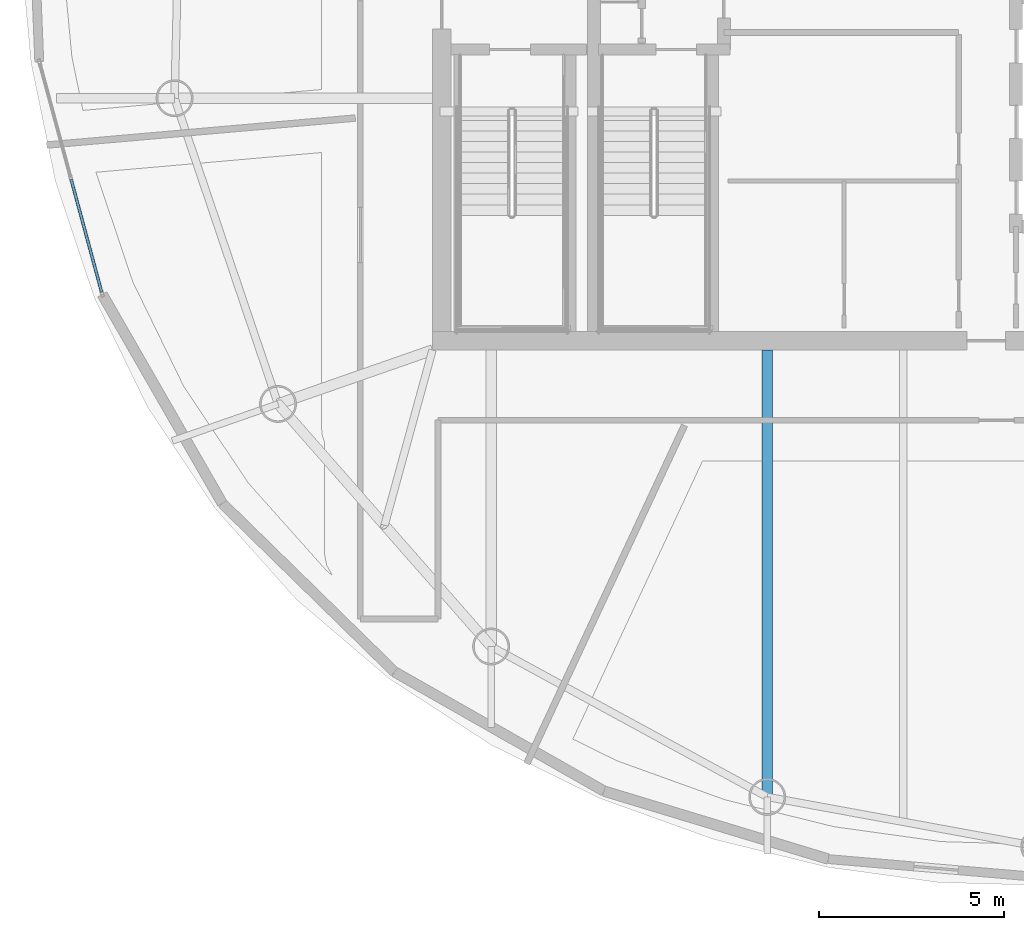
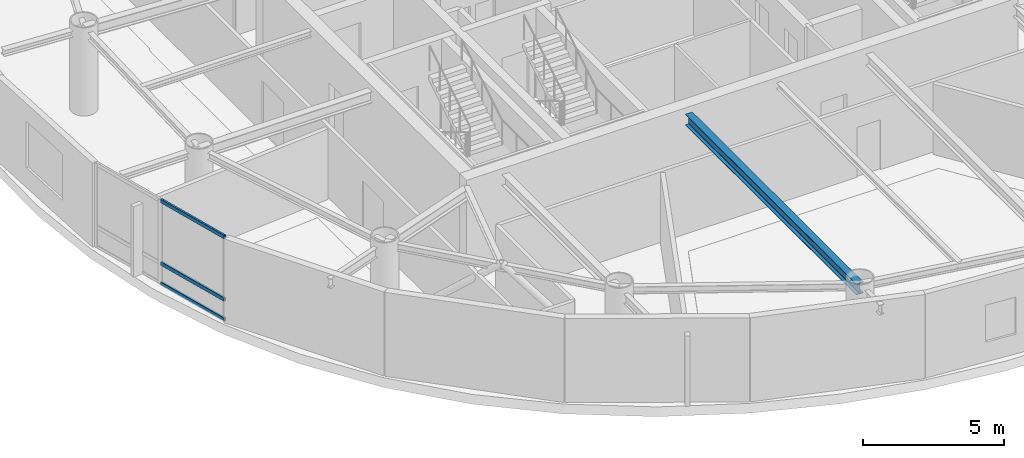
# One storey, part 5 of 20: 3 members, 1 beam, 1 element without a shape of its own.
"""IFC4 building model written with IfcOpenShell, lengths in metres."""

import ifcopenshell
import ifcopenshell.guid

model = None  # the IFC model being written
_history = None  # IfcOwnerHistory: only IFC2X3 demands one
_inside = {}  # id of a spatial element -> (the spatial element, [elements in it])
_under = {}  # id of a project, library or spatial element -> (it, [spatial elements below it])
_declared = {}  # id of a project -> (the project, [libraries it declares])
_typed = {}  # id of a type object -> (the type object, [elements of that type])
_made_of = {}  # id of a material, layer set ... -> (it, [elements and type objects made of it])


def new_model(schema):
    """Start an empty IFC model of exactly this schema.

    Asked for "IFC4X3", IfcOpenShell would pick the latest addendum, in which some entities
    have other attributes; the version numbers below select the first issue.
    IFC2X3 requires an IfcOwnerHistory on every rooted entity: one is made here for all.
    """
    global model, _history
    if schema == "IFC4X3":
        model = ifcopenshell.file(schema_version=(4, 3, 0, 0))
    else:
        model = ifcopenshell.file(schema=schema)
    _inside.clear()
    _under.clear()
    _declared.clear()
    _typed.clear()
    _made_of.clear()
    _history = None
    if model.schema == "IFC2X3":
        org = make("IfcOrganization", Name="unknown")
        user = make(
            "IfcPersonAndOrganization",
            ThePerson=make("IfcPerson", FamilyName="unknown"),
            TheOrganization=org,
        )
        app = make(
            "IfcApplication",
            ApplicationDeveloper=org,
            Version="unknown",
            ApplicationFullName="unknown",
            ApplicationIdentifier="unknown",
        )
        _history = make(
            "IfcOwnerHistory",
            OwningUser=user,
            OwningApplication=app,
            ChangeAction="ADDED",
            CreationDate=0,
        )
    return model


def make(cls, **values):
    """One entity of the class cls with the attributes given. An attribute that is None is left unset."""
    return model.create_entity(
        cls, **{name: value for name, value in values.items() if value is not None}
    )


def rooted(cls, **values):
    """An entity with a GlobalId (a new one), such as an element, a storey or a relation."""
    return make(cls, GlobalId=ifcopenshell.guid.new(), OwnerHistory=_history, **values)


def si_unit(unit_type, name, prefix=None):
    """IfcSIUnit, for example si_unit("LENGTHUNIT", "METRE", prefix="MILLI")."""
    return make("IfcSIUnit", UnitType=unit_type, Prefix=prefix, Name=name)


def assignment(units):
    """IfcUnitAssignment: the units of a project."""
    return None if units is None else make("IfcUnitAssignment", Units=units)


def point(xyz):
    """IfcCartesianPoint."""
    return None if xyz is None else make("IfcCartesianPoint", Coordinates=xyz)


def direction(xyz):
    """IfcDirection."""
    return None if xyz is None else make("IfcDirection", DirectionRatios=xyz)


def frame(location, z_axis=None, x_axis=None):
    """IfcAxis2Placement3D, a coordinate frame: its origin and axes. An axis left out is left unset."""
    return make(
        "IfcAxis2Placement3D",
        Location=point(location),
        Axis=direction(z_axis),
        RefDirection=direction(x_axis),
    )


def frame_2d(location, x_axis=None):
    """IfcAxis2Placement2D, a coordinate frame in the plane: its origin and x axis."""
    return make(
        "IfcAxis2Placement2D", Location=point(location), RefDirection=direction(x_axis)
    )


def origin():
    """The frame at (0, 0, 0) with its axes left unset."""
    return frame((0.0, 0.0, 0.0))


def origin_2d():
    """The frame at (0, 0) in the plane with its x axis left unset."""
    return frame_2d((0.0, 0.0))


def place(relative_to, where):
    """IfcLocalPlacement: puts the frame where relative to a parent placement (None: the world)."""
    return make(
        "IfcLocalPlacement", PlacementRelTo=relative_to, RelativePlacement=where
    )


def context(
    kind, dimensions, precision=None, world=None, true_north=None, identifier=None
):
    """IfcGeometricRepresentationContext, for example the 3D "Model" context."""
    return make(
        "IfcGeometricRepresentationContext",
        ContextIdentifier=identifier,
        ContextType=kind,
        CoordinateSpaceDimension=dimensions,
        Precision=precision,
        WorldCoordinateSystem=world,
        TrueNorth=true_north,
    )


def subcontext(parent, identifier, kind, view, scale=None):
    """IfcGeometricRepresentationSubContext, for example "Body" below "Model"."""
    return make(
        "IfcGeometricRepresentationSubContext",
        ContextIdentifier=identifier,
        ContextType=kind,
        ParentContext=parent,
        TargetScale=scale,
        TargetView=view,
    )


def project(units=None, contexts=None):
    """IfcProject with its units and contexts."""
    return rooted(
        "IfcProject",
        Name="project",
        RepresentationContexts=contexts,
        UnitsInContext=assignment(units),
    )


def spatial(cls, under=None, at=None, **own):
    """A site, building, storey or space (cls), placed at a placement, below another one or the project."""
    s = rooted(cls, ObjectPlacement=at, **own)
    if under is not None:
        _under.setdefault(under.id(), (under, []))[1].append(s)
    return s


def profile(cls, at=None, kind="AREA", **sizes):
    """A parametric profile (cls). Its sizes go by their IFC names, for example OverallWidth=200.0."""
    return make(cls, ProfileType=kind, Position=at, **sizes)


def hollow_rectangle(**sizes):
    """IfcRectangleHollowProfileDef."""
    return profile("IfcRectangleHollowProfileDef", **sizes)


def i_section(**sizes):
    """IfcIShapeProfileDef."""
    return profile("IfcIShapeProfileDef", **sizes)


def extrude(swept, where, along, depth):
    """IfcExtrudedAreaSolid: the profile swept, set in the frame where, extruded along a direction by depth."""
    return make(
        "IfcExtrudedAreaSolid",
        SweptArea=swept,
        Position=where,
        ExtrudedDirection=direction(along),
        Depth=depth,
    )


def shape(context_of_items, identifier, shape_type, items):
    """IfcShapeRepresentation: the items that make up one representation, for example the "Body"."""
    return make(
        "IfcShapeRepresentation",
        ContextOfItems=context_of_items,
        RepresentationIdentifier=identifier,
        RepresentationType=shape_type,
        Items=items,
    )


def material(Name=None, Category=None):
    """IfcMaterial."""
    return make("IfcMaterial", Name=Name, Category=Category)


def layer(
    of_material, thickness, ventilated=None, Name=None, Category=None, Priority=None
):
    """IfcMaterialLayer: one layer of a wall or slab, of a material (None: an air gap)."""
    return make(
        "IfcMaterialLayer",
        Material=of_material,
        LayerThickness=thickness,
        IsVentilated=ventilated,
        Name=Name,
        Category=Category,
        Priority=Priority,
    )


def layer_set(layers, Name=None):
    """IfcMaterialLayerSet."""
    return make("IfcMaterialLayerSet", MaterialLayers=layers, LayerSetName=Name)


def material_profile(
    of_material, cross_section, Name=None, Category=None, Priority=None
):
    """IfcMaterialProfile: a cross section and its material."""
    return make(
        "IfcMaterialProfile",
        Name=Name,
        Material=of_material,
        Profile=cross_section,
        Priority=Priority,
        Category=Category,
    )


def profile_set(profiles, Name=None, composite=None):
    """IfcMaterialProfileSet."""
    return make(
        "IfcMaterialProfileSet",
        Name=Name,
        MaterialProfiles=profiles,
        CompositeProfile=composite,
    )


def made_of(thing, what):
    """Note that an element or type object is made of a material, layer set ...; save() writes the relation."""
    if what is not None:
        _made_of.setdefault(what.id(), (what, []))[1].append(thing)
    return thing


def type_object(cls, material=None, **own):
    """A type object (cls), such as IfcWallType, which elements share."""
    return made_of(rooted(cls, **own), material)


def element(
    cls,
    number,
    at=None,
    inside=None,
    cuts=None,
    type_object=None,
    material=None,
    context=None,
    identifier="Body",
    shape_type=None,
    held_by="IfcProductDefinitionShape",
    body=None,
    shapes=None,
    **own,
):
    """One element of the class cls, such as IfcWall. Its Tag is "e" and its number.

    at: its placement. inside: the storey or other place that contains it. cuts: it is an
    opening in that element (IfcRelVoidsElement). A single representation is given by context,
    identifier, shape_type and body (its items); several are given by shapes. held_by: the class
    of the entity that holds the representations. save() writes the other relations.
    """
    e = rooted(cls, Tag="e%d" % number, ObjectPlacement=at, **own)
    if body is not None:
        shapes = [shape(context, identifier, shape_type, body)]
    if shapes is not None:
        e.Representation = make(held_by, Representations=shapes)
    if inside is not None:
        _inside.setdefault(inside.id(), (inside, []))[1].append(e)
    if cuts is not None:
        rooted(
            "IfcRelVoidsElement", RelatingBuildingElement=cuts, RelatedOpeningElement=e
        )
    if type_object is not None:
        _typed.setdefault(type_object.id(), (type_object, []))[1].append(e)
    return made_of(e, material)


def aggregate(whole, parts):
    """IfcRelAggregates: a whole, such as a stair, and the parts it consists of."""
    return rooted("IfcRelAggregates", RelatingObject=whole, RelatedObjects=parts)


def save(model, path):
    """Write the relations noted so far, then the file.

    IfcRelAggregates (storeys below a building ...), IfcRelContainedInSpatialStructure (elements
    in a storey), IfcRelDefinesByType, IfcRelAssociatesMaterial and IfcRelDeclares: one each for
    every whole, place, type object, material and project.
    """
    for whole, parts in _under.values():
        aggregate(whole, parts)
    for where, things in _inside.values():
        rooted(
            "IfcRelContainedInSpatialStructure",
            RelatedElements=things,
            RelatingStructure=where,
        )
    for kind, things in _typed.values():
        rooted("IfcRelDefinesByType", RelatedObjects=things, RelatingType=kind)
    for what, things in _made_of.values():
        rooted("IfcRelAssociatesMaterial", RelatedObjects=things, RelatingMaterial=what)
    for by, libraries in _declared.values():
        rooted("IfcRelDeclares", RelatingContext=by, RelatedDefinitions=libraries)
    model.write(path)


model = new_model("IFC4")

# Units and contexts
model_context = context("Model", 3, precision=1e-05, world=origin(), true_north=direction((0.0, 1.0)))
body_context = subcontext(model_context, "Body", "Model", "MODEL_VIEW")
ifc_project = project(units=[si_unit("LENGTHUNIT", "METRE"), si_unit("AREAUNIT", "SQUARE_METRE"), si_unit("VOLUMEUNIT", "CUBIC_METRE"), si_unit("PLANEANGLEUNIT", "RADIAN"), si_unit("MASSUNIT", "GRAM", prefix="KILO")], contexts=[model_context])

# Site, building, storey
site_placement = place(None, origin())
site = spatial("IfcSite", under=ifc_project, at=site_placement, CompositionType="ELEMENT")
building_placement = place(site_placement, origin())
building = spatial("IfcBuilding", under=site, at=building_placement, Name="Bramvorn Convention Spire", CompositionType="ELEMENT")
storey_placement = place(building_placement, frame((0.0, 0.0, 242.050048828125)))
storey = spatial("IfcBuildingStorey", under=building, at=storey_placement, Name="L61", CompositionType="ELEMENT", Elevation=242.050048828125)

# Beam
ifc_material_1 = material(Name="Steel CSA G40.21 Grade 350 (350W)", Category="steel")
ifc_material_profile_1 = material_profile(ifc_material_1, i_section(OverallWidth=0.283935546875, OverallDepth=0.47607421875, WebThickness=0.014892578125, FlangeThickness=0.02392578125, FilletRadius=0.01806640625, at=origin_2d()))
ifc_profile_set_1 = profile_set([ifc_material_profile_1], Name="Steel CSA G40.21 Grade 350 (350W) - W460X158")
beam_type = type_object("IfcBeamType", Name="BM-W460X158", PredefinedType="SPANDREL", material=ifc_profile_set_1)
beam_placement = place(storey_placement, frame((35.8154296875, 18.550048828125, 3.346923828125), z_axis=(0.0, -1.0, 0.0), x_axis=(1.0, 0.0, 0.0)))
element("IfcBeam", 1, at=beam_placement, inside=storey, type_object=beam_type, Name="L61 Sky-Garden back-span radial girder MC15", PredefinedType="SPANDREL", context=body_context, shape_type="SweptSolid", body=[
    extrude(i_section(OverallWidth=0.283935546875, OverallDepth=0.47607421875, WebThickness=0.014892578125, FlangeThickness=0.02392578125, FilletRadius=0.01806640625, at=origin_2d()), origin(), (0.0, 0.0, 1.0), 12.100830078125),
])

# Curtain wall, members
ifc_material_2 = material(Name="Anodised Bronze Unitised Curtain Wall", Category="aluminium")
ifc_layer = layer(ifc_material_2, 0.179931640625)
ifc_layer_set = layer_set([ifc_layer], Name="Anodised Bronze Unitised Curtain Wall - CW-OFF-FRIT")
curtain_wall_type = type_object("IfcCurtainWallType", Name="CW-OFF-FRIT", PredefinedType="USERDEFINED", material=ifc_layer_set)
curtain_wall_placement = place(storey_placement, origin())
curtain_wall = element("IfcCurtainWall", 2, at=curtain_wall_placement, inside=storey, type_object=curtain_wall_type, Name="L61 fritted glass curtain wall 17", ObjectType="UNITISED CURTAIN WALL", PredefinedType="USERDEFINED")
ifc_material_3 = material(Name="Anodised Bronze Aluminium 6063-T6", Category="aluminium")
ifc_material_profile_2 = material_profile(ifc_material_3, hollow_rectangle(XDim=0.080078125, YDim=0.159912109375, WallThickness=0.00390625, InnerFilletRadius=0.0009765625, OuterFilletRadius=0.00390625, at=origin_2d()))
ifc_profile_set_2 = profile_set([ifc_material_profile_2], Name="Anodised Bronze Aluminium 6063-T6 - CWT80X160")
member_type = type_object("IfcMemberType", Name="CW-TRN-150", PredefinedType="USERDEFINED", material=ifc_profile_set_2)
member_1_placement = place(storey_placement, frame((17.791259765625, 20.1171875, 0.030029296875), z_axis=(-0.261209385328, 0.965282164456, 0.0), x_axis=(-0.965282164456, -0.261209385328, 0.0)))
member_1 = element("IfcMember", 3, at=member_1_placement, type_object=member_type, Name="CW3 transom 1.1", ObjectType="TRANSOM", PredefinedType="USERDEFINED", context=body_context, shape_type="SweptSolid", body=[
    extrude(hollow_rectangle(XDim=0.080078125, YDim=0.159912109375, WallThickness=0.00390625, InnerFilletRadius=0.0009765625, OuterFilletRadius=0.00390625, at=origin_2d()), origin(), (0.0, 0.0, 1.0), 3.173095703125),
])
member_2_placement = place(storey_placement, frame((17.791259765625, 20.1171875, 0.89990234375), z_axis=(-0.261209385328, 0.965282164456, 0.0), x_axis=(-0.965282164456, -0.261209385328, 0.0)))
member_2 = element("IfcMember", 4, at=member_2_placement, type_object=member_type, Name="CW3 transom 1.2", ObjectType="TRANSOM", PredefinedType="USERDEFINED", context=body_context, shape_type="SweptSolid", body=[
    extrude(hollow_rectangle(XDim=0.080078125, YDim=0.159912109375, WallThickness=0.00390625, InnerFilletRadius=0.0009765625, OuterFilletRadius=0.00390625, at=origin_2d()), origin(), (0.0, 0.0, 1.0), 3.173095703125),
])
member_3_placement = place(storey_placement, frame((17.791259765625, 20.1171875, 3.594970703125), z_axis=(-0.261209385328, 0.965282164456, 0.0), x_axis=(-0.965282164456, -0.261209385328, 0.0)))
member_3 = element("IfcMember", 5, at=member_3_placement, type_object=member_type, Name="CW3 transom 1.3", ObjectType="TRANSOM", PredefinedType="USERDEFINED", context=body_context, shape_type="SweptSolid", body=[
    extrude(hollow_rectangle(XDim=0.080078125, YDim=0.159912109375, WallThickness=0.00390625, InnerFilletRadius=0.0009765625, OuterFilletRadius=0.00390625, at=origin_2d()), origin(), (0.0, 0.0, 1.0), 3.173095703125),
])
aggregate(curtain_wall, [member_1, member_2, member_3])

save(model, "model.ifc")
